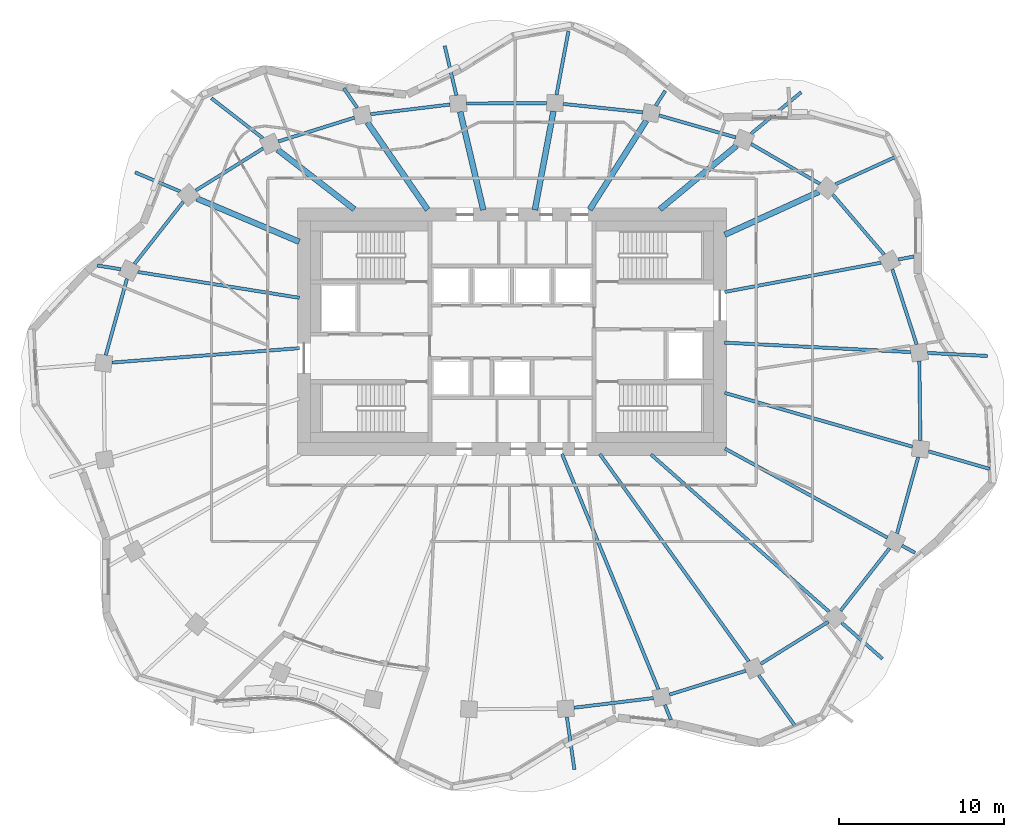
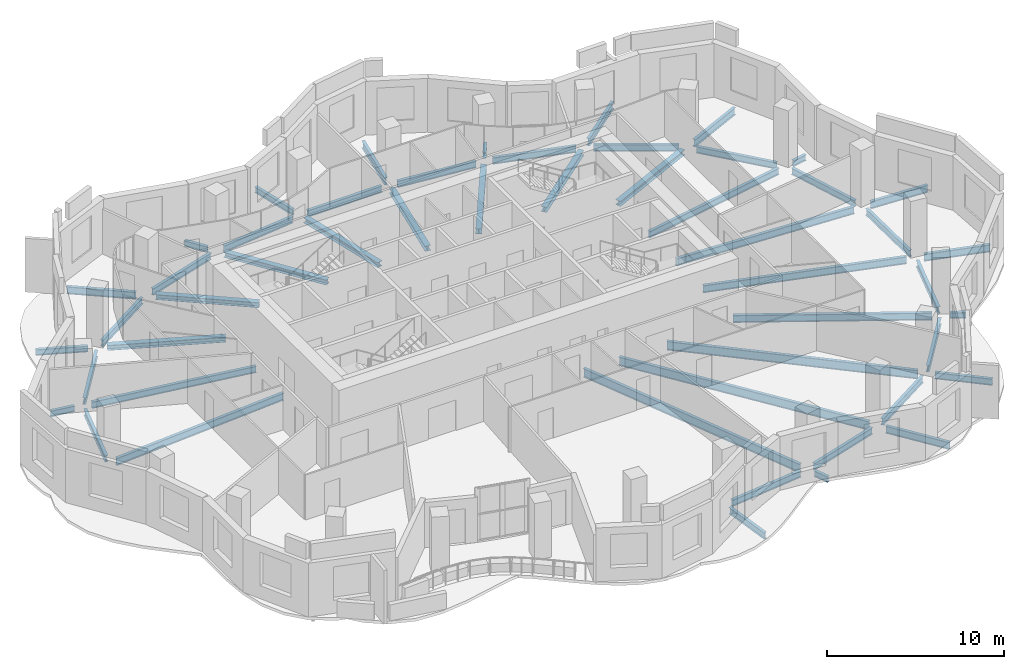
# One storey, part 3 of 13: 51 beams.
"""IFC4 building model written with IfcOpenShell, lengths in metres."""

from ifc_helpers import new_model, si_unit, direction, frame, origin, origin_2d, place, context, subcontext, project, spatial, i_section, extrude, material, material_profile, profile_set, type_object, element, save


model = new_model("IFC4")

# Units and contexts
model_context = context("Model", 3, precision=1e-05, world=origin(), true_north=direction((0.0, 1.0)))
body_context = subcontext(model_context, "Body", "Model", "MODEL_VIEW")
ifc_project = project(units=[si_unit("LENGTHUNIT", "METRE"), si_unit("AREAUNIT", "SQUARE_METRE"), si_unit("VOLUMEUNIT", "CUBIC_METRE"), si_unit("PLANEANGLEUNIT", "RADIAN"), si_unit("MASSUNIT", "GRAM", prefix="KILO")], contexts=[model_context])

# Site, building, storey
site_placement = place(None, origin())
site = spatial("IfcSite", under=ifc_project, at=site_placement, CompositionType="ELEMENT")
building_placement = place(site_placement, origin())
building = spatial("IfcBuilding", under=site, at=building_placement, Name="Rubra Terraces Tower", CompositionType="ELEMENT")
storey_placement = place(building_placement, frame((0.0, 0.0, 252.60009765625)))
storey = spatial("IfcBuildingStorey", under=building, at=storey_placement, Name="L62", CompositionType="ELEMENT", Elevation=252.60009765625)

# Beams
ifc_material = material(Name="Steel Q355B", Category="steel")
ifc_material_profile_1 = material_profile(ifc_material, i_section(OverallWidth=0.199951171875, OverallDepth=0.39990234375, WebThickness=0.008056640625, FlangeThickness=0.012939453125, at=origin_2d()), Name="HN 400x200x8x13")
ifc_profile_set_1 = profile_set([ifc_material_profile_1], Name="Steel Q355B")
beam_type_1 = type_object("IfcBeamType", Name="CANTILEVER BEAM HN 400x200x8x13", PredefinedType="BEAM", material=ifc_profile_set_1)
beam_1_placement = place(storey_placement, frame((-3.3701171875, 18.823974609375, -0.400146484375), z_axis=(-0.229158621159, 0.973389092988, 0.0), x_axis=(-0.973389092988, -0.229158621159, 0.0)))
element("IfcBeam", 1, at=beam_1_placement, inside=storey, type_object=beam_type_1, Name="beam-L62-cant-07", PredefinedType="BEAM", context=body_context, shape_type="SweptSolid", body=[
    extrude(i_section(OverallWidth=0.199951171875, OverallDepth=0.39990234375, WebThickness=0.008056640625, FlangeThickness=0.012939453125, at=origin_2d()), origin(), (0.0, 0.0, 1.0), 3.080078125),
])
beam_2_placement = place(storey_placement, frame((-20.10205078125, 13.0048828125, -0.400146484375), z_axis=(-0.920868185487, 0.389874062946, 0.0), x_axis=(-0.389874062946, -0.920868185487, 0.0)))
element("IfcBeam", 2, at=beam_2_placement, inside=storey, type_object=beam_type_1, Name="beam-L62-cant-10", PredefinedType="BEAM", context=body_context, shape_type="SweptSolid", body=[
    extrude(i_section(OverallWidth=0.199951171875, OverallDepth=0.39990234375, WebThickness=0.008056640625, FlangeThickness=0.012939453125, at=origin_2d()), origin(), (0.0, 0.0, 1.0), 2.9599609375),
])
ifc_material_profile_2 = material_profile(ifc_material, i_section(OverallWidth=0.198974609375, OverallDepth=0.446044921875, WebThickness=0.008056640625, FlangeThickness=0.011962890625, at=origin_2d()), Name="HN 446x199x8x12")
ifc_profile_set_2 = profile_set([ifc_material_profile_2], Name="Steel Q355B")
beam_type_2 = type_object("IfcBeamType", Name="CANTILEVER BEAM HN 446x199x8x12", PredefinedType="BEAM", material=ifc_profile_set_2)
beam_3_placement = place(storey_placement, frame((3.324951171875, -18.826904296875, -0.423095703125), z_axis=(0.141017135848, -0.990007155225, 0.0), x_axis=(0.990007155225, 0.141017135848, 0.0)))
element("IfcBeam", 3, at=beam_3_placement, inside=storey, type_object=beam_type_2, Name="beam-L62-cant-19", PredefinedType="BEAM", context=body_context, shape_type="SweptSolid", body=[
    extrude(i_section(OverallWidth=0.198974609375, OverallDepth=0.446044921875, WebThickness=0.008056640625, FlangeThickness=0.011962890625, at=origin_2d()), origin(), (0.0, 0.0, 1.0), 3.21337890625),
])
beam_4_placement = place(storey_placement, frame((19.969970703125, -13.123046875, -0.423095703125), z_axis=(0.749902745466, -0.661548087702, 0.0), x_axis=(0.661548087702, 0.749902745466, 0.0)))
element("IfcBeam", 4, at=beam_4_placement, inside=storey, type_object=beam_type_2, Name="beam-L62-cant-22", PredefinedType="BEAM", context=body_context, shape_type="SweptSolid", body=[
    extrude(i_section(OverallWidth=0.198974609375, OverallDepth=0.446044921875, WebThickness=0.008056640625, FlangeThickness=0.011962890625, at=origin_2d()), origin(), (0.0, 0.0, 1.0), 3.293701171875),
])
ifc_material_profile_3 = material_profile(ifc_material, i_section(OverallWidth=0.198974609375, OverallDepth=0.49609375, WebThickness=0.009033203125, FlangeThickness=0.013916015625, at=origin_2d()), Name="HN 496x199x9x14")
ifc_profile_set_3 = profile_set([ifc_material_profile_3], Name="Steel Q355B")
beam_type_3 = type_object("IfcBeamType", Name="CANTILEVER BEAM HN 496x199x9x14", PredefinedType="BEAM", material=ifc_profile_set_3)
beam_5_placement = place(storey_placement, frame((25.179931640625, 3.221923828125, -0.447998046875), z_axis=(0.998713760082, -0.050703307804, 0.0), x_axis=(0.050703307804, 0.998713760082, 0.0)))
element("IfcBeam", 5, at=beam_5_placement, inside=storey, type_object=beam_type_3, Name="beam-L62-cant-01", PredefinedType="BEAM", context=body_context, shape_type="SweptSolid", body=[
    extrude(i_section(OverallWidth=0.198974609375, OverallDepth=0.49609375, WebThickness=0.009033203125, FlangeThickness=0.013916015625, at=origin_2d()), origin(), (0.0, 0.0, 1.0), 3.625732421875),
])
beam_6_placement = place(storey_placement, frame((19.596923828125, 13.43896484375, -0.447998046875), z_axis=(0.909745347317, 0.415166717157, 0.0), x_axis=(-0.415166717157, 0.909745347317, 0.0)))
element("IfcBeam", 6, at=beam_6_placement, inside=storey, type_object=beam_type_3, Name="beam-L62-cant-03", PredefinedType="BEAM", context=body_context, shape_type="SweptSolid", body=[
    extrude(i_section(OverallWidth=0.198974609375, OverallDepth=0.49609375, WebThickness=0.009033203125, FlangeThickness=0.013916015625, at=origin_2d()), origin(), (0.0, 0.0, 1.0), 3.950439453125),
])
beam_7_placement = place(storey_placement, frame((14.47509765625, 16.4951171875, -0.447998046875), z_axis=(0.770112647774, 0.637907916347, 0.0), x_axis=(-0.637907916347, 0.770112647774, 0.0)))
element("IfcBeam", 7, at=beam_7_placement, inside=storey, type_object=beam_type_3, Name="beam-L62-cant-04", PredefinedType="BEAM", context=body_context, shape_type="SweptSolid", body=[
    extrude(i_section(OverallWidth=0.198974609375, OverallDepth=0.49609375, WebThickness=0.009033203125, FlangeThickness=0.013916015625, at=origin_2d()), origin(), (0.0, 0.0, 1.0), 3.949951171875),
])
beam_8_placement = place(storey_placement, frame((2.695068359375, 18.85400390625, -0.447998046875), z_axis=(0.184533441982, 0.982826235298, 0.0), x_axis=(-0.982826235298, 0.184533441982, 0.0)))
element("IfcBeam", 8, at=beam_8_placement, inside=storey, type_object=beam_type_3, Name="beam-L62-cant-06", PredefinedType="BEAM", context=body_context, shape_type="SweptSolid", body=[
    extrude(i_section(OverallWidth=0.198974609375, OverallDepth=0.49609375, WebThickness=0.009033203125, FlangeThickness=0.013916015625, at=origin_2d()), origin(), (0.0, 0.0, 1.0), 3.912109375),
])
beam_9_placement = place(storey_placement, frame((-15.087890625, 16.22705078125, -0.447998046875), z_axis=(-0.789618379303, 0.61359825217, 0.0), x_axis=(-0.61359825217, -0.789618379303, 0.0)))
element("IfcBeam", 9, at=beam_9_placement, inside=storey, type_object=beam_type_3, Name="beam-L62-cant-09", PredefinedType="BEAM", context=body_context, shape_type="SweptSolid", body=[
    extrude(i_section(OverallWidth=0.198974609375, OverallDepth=0.49609375, WebThickness=0.009033203125, FlangeThickness=0.013916015625, at=origin_2d()), origin(), (0.0, 0.0, 1.0), 3.9501953125),
])
beam_10_placement = place(storey_placement, frame((14.93994140625, -16.294921875, -0.447998046875), z_axis=(0.583477927211, -0.812128997424, 0.0), x_axis=(0.812128997424, 0.583477927211, 0.0)))
element("IfcBeam", 10, at=beam_10_placement, inside=storey, type_object=beam_type_3, Name="beam-L62-cant-21", PredefinedType="BEAM", context=body_context, shape_type="SweptSolid", body=[
    extrude(i_section(OverallWidth=0.198974609375, OverallDepth=0.49609375, WebThickness=0.009033203125, FlangeThickness=0.013916015625, at=origin_2d()), origin(), (0.0, 0.0, 1.0), 3.9453125),
])
beam_11_placement = place(storey_placement, frame((25.22900390625, -2.738037109375, -0.447998046875), z_axis=(0.961168845491, -0.275960958213, 0.0), x_axis=(0.275960958213, 0.961168845491, 0.0)))
element("IfcBeam", 11, at=beam_11_placement, inside=storey, type_object=beam_type_3, Name="beam-L62-cant-24", PredefinedType="BEAM", context=body_context, shape_type="SweptSolid", body=[
    extrude(i_section(OverallWidth=0.198974609375, OverallDepth=0.49609375, WebThickness=0.009033203125, FlangeThickness=0.013916015625, at=origin_2d()), origin(), (0.0, 0.0, 1.0), 3.848388671875),
])
ifc_material_profile_4 = material_profile(ifc_material, i_section(OverallWidth=0.199951171875, OverallDepth=0.39990234375, WebThickness=0.008056640625, FlangeThickness=0.012939453125, at=origin_2d()), Name="HN 400x200x8x13")
ifc_profile_set_4 = profile_set([ifc_material_profile_4], Name="Steel Q355B")
beam_type_4 = type_object("IfcBeamType", Name="CANTILEVER STUB HN 400x200x8x13", PredefinedType="BEAM", material=ifc_profile_set_4)
beam_12_placement = place(storey_placement, frame((23.39794921875, 8.884033203125, -0.400146484375), z_axis=(0.98285471524, 0.184381693047, 0.0), x_axis=(-0.184381693047, 0.98285471524, 0.0)))
element("IfcBeam", 12, at=beam_12_placement, inside=storey, type_object=beam_type_4, Name="beam-L62-cant-02", PredefinedType="BEAM", context=body_context, shape_type="SweptSolid", body=[
    extrude(i_section(OverallWidth=0.199951171875, OverallDepth=0.39990234375, WebThickness=0.008056640625, FlangeThickness=0.012939453125, at=origin_2d()), origin(), (0.0, 0.0, 1.0), 0.949462890625),
])
beam_13_placement = place(storey_placement, frame((8.7099609375, 18.201904296875, -0.400146484375), z_axis=(0.536579593342, 0.843849714113, 0.0), x_axis=(-0.843849714113, 0.536579593342, 0.0)))
element("IfcBeam", 13, at=beam_13_placement, inside=storey, type_object=beam_type_4, Name="beam-L62-cant-05", PredefinedType="BEAM", context=body_context, shape_type="SweptSolid", body=[
    extrude(i_section(OverallWidth=0.199951171875, OverallDepth=0.39990234375, WebThickness=0.008056640625, FlangeThickness=0.012939453125, at=origin_2d()), origin(), (0.0, 0.0, 1.0), 1.06787109375),
])
beam_14_placement = place(storey_placement, frame((-9.3701171875, 18.070068359375, -0.400146484375), z_axis=(-0.568440243111, 0.822724552941, 0.0), x_axis=(-0.822724552941, -0.568440243111, 0.0)))
element("IfcBeam", 14, at=beam_14_placement, inside=storey, type_object=beam_type_4, Name="beam-L62-cant-08", PredefinedType="BEAM", context=body_context, shape_type="SweptSolid", body=[
    extrude(i_section(OverallWidth=0.199951171875, OverallDepth=0.39990234375, WebThickness=0.008056640625, FlangeThickness=0.012939453125, at=origin_2d()), origin(), (0.0, 0.0, 1.0), 1.435302734375),
])
beam_15_placement = place(storey_placement, frame((-23.702880859375, 8.29296875, -0.400146484375), z_axis=(-0.987493698574, 0.157658476703, 0.0), x_axis=(-0.157658476703, -0.987493698574, 0.0)))
element("IfcBeam", 15, at=beam_15_placement, inside=storey, type_object=beam_type_4, Name="beam-L62-cant-11", PredefinedType="BEAM", context=body_context, shape_type="SweptSolid", body=[
    extrude(i_section(OverallWidth=0.199951171875, OverallDepth=0.39990234375, WebThickness=0.008056640625, FlangeThickness=0.012939453125, at=origin_2d()), origin(), (0.0, 0.0, 1.0), 1.433837890625),
])
beam_16_placement = place(storey_placement, frame((9.256103515625, -18.094970703125, -0.400146484375), z_axis=(0.378119073975, -0.925756969132, 0.0), x_axis=(0.925756969132, 0.378119073975, 0.0)))
element("IfcBeam", 16, at=beam_16_placement, inside=storey, type_object=beam_type_4, Name="beam-L62-cant-20", PredefinedType="BEAM", context=body_context, shape_type="SweptSolid", body=[
    extrude(i_section(OverallWidth=0.199951171875, OverallDepth=0.39990234375, WebThickness=0.008056640625, FlangeThickness=0.012939453125, at=origin_2d()), origin(), (0.0, 0.0, 1.0), 0.980712890625),
])
beam_17_placement = place(storey_placement, frame((23.6240234375, -8.449951171875, -0.400146484375), z_axis=(0.876376358267, -0.481626908168, 0.0), x_axis=(0.481626908168, 0.876376358267, 0.0)))
element("IfcBeam", 17, at=beam_17_placement, inside=storey, type_object=beam_type_4, Name="beam-L62-cant-23", PredefinedType="BEAM", context=body_context, shape_type="SweptSolid", body=[
    extrude(i_section(OverallWidth=0.199951171875, OverallDepth=0.39990234375, WebThickness=0.008056640625, FlangeThickness=0.012939453125, at=origin_2d()), origin(), (0.0, 0.0, 1.0), 0.899169921875),
])
ifc_material_profile_5 = material_profile(ifc_material, i_section(OverallWidth=0.198974609375, OverallDepth=0.446044921875, WebThickness=0.008056640625, FlangeThickness=0.011962890625, at=origin_2d()), Name="HN 446x199x8x12")
ifc_profile_set_5 = profile_set([ifc_material_profile_5], Name="Steel Q355B")
beam_type_5 = type_object("IfcBeamType", Name="FLOOR BEAM HN 446x199x8x12", PredefinedType="BEAM", material=ifc_profile_set_5)
beam_18_placement = place(storey_placement, frame((22.360107421875, 8.68994140625, -0.423095703125), z_axis=(-0.982895681695, -0.18416318553, 0.0), x_axis=(0.18416318553, -0.982895681695, 0.0)))
element("IfcBeam", 18, at=beam_18_placement, inside=storey, type_object=beam_type_5, Name="beam-L62-floor-02", PredefinedType="BEAM", context=body_context, shape_type="SweptSolid", body=[
    extrude(i_section(OverallWidth=0.198974609375, OverallDepth=0.446044921875, WebThickness=0.008056640625, FlangeThickness=0.011962890625, at=origin_2d()), origin(), (0.0, 0.0, 1.0), 9.64306640625),
])
beam_19_placement = place(storey_placement, frame((-22.6669921875, 8.126953125, -0.423095703125), z_axis=(0.987435404133, -0.158023171289, 0.0), x_axis=(0.158023171289, 0.987435404133, 0.0)))
element("IfcBeam", 19, at=beam_19_placement, inside=storey, type_object=beam_type_5, Name="beam-L62-floor-11", PredefinedType="BEAM", context=body_context, shape_type="SweptSolid", body=[
    extrude(i_section(OverallWidth=0.198974609375, OverallDepth=0.446044921875, WebThickness=0.008056640625, FlangeThickness=0.011962890625, at=origin_2d()), origin(), (0.0, 0.0, 1.0), 9.909423828125),
])
ifc_material_profile_6 = material_profile(ifc_material, i_section(OverallWidth=0.198974609375, OverallDepth=0.49609375, WebThickness=0.009033203125, FlangeThickness=0.013916015625, at=origin_2d()), Name="HN 496x199x9x14")
ifc_profile_set_6 = profile_set([ifc_material_profile_6], Name="Steel Q355B")
beam_type_6 = type_object("IfcBeamType", Name="FLOOR BEAM HN 496x199x9x14", PredefinedType="BEAM", material=ifc_profile_set_6)
beam_20_placement = place(storey_placement, frame((24.157958984375, 3.27392578125, -0.447998046875), z_axis=(-0.998716228561, 0.050654662269, 0.0), x_axis=(-0.050654662269, -0.998716228561, 0.0)))
element("IfcBeam", 20, at=beam_20_placement, inside=storey, type_object=beam_type_6, Name="beam-L62-floor-01", PredefinedType="BEAM", context=body_context, shape_type="SweptSolid", body=[
    extrude(i_section(OverallWidth=0.198974609375, OverallDepth=0.49609375, WebThickness=0.009033203125, FlangeThickness=0.013916015625, at=origin_2d()), origin(), (0.0, 0.0, 1.0), 11.29248046875),
])
beam_21_placement = place(storey_placement, frame((-24.23388671875, 2.637939453125, -0.447998046875), z_axis=(0.997063306908, 0.076581734234, 0.0), x_axis=(-0.076581734234, 0.997063306908, 0.0)))
element("IfcBeam", 21, at=beam_21_placement, inside=storey, type_object=beam_type_6, Name="beam-L62-floor-12", PredefinedType="BEAM", context=body_context, shape_type="SweptSolid", body=[
    extrude(i_section(OverallWidth=0.198974609375, OverallDepth=0.49609375, WebThickness=0.009033203125, FlangeThickness=0.013916015625, at=origin_2d()), origin(), (0.0, 0.0, 1.0), 11.387451171875),
])
beam_22_placement = place(storey_placement, frame((22.74609375, -7.969970703125, -0.447998046875), z_axis=(-0.876862055903, 0.480742066932, 0.0), x_axis=(-0.480742066932, -0.876862055903, 0.0)))
element("IfcBeam", 22, at=beam_22_placement, inside=storey, type_object=beam_type_6, Name="beam-L62-floor-23", PredefinedType="BEAM", context=body_context, shape_type="SweptSolid", body=[
    extrude(i_section(OverallWidth=0.198974609375, OverallDepth=0.49609375, WebThickness=0.009033203125, FlangeThickness=0.013916015625, at=origin_2d()), origin(), (0.0, 0.0, 1.0), 11.234375),
])
beam_23_placement = place(storey_placement, frame((24.257080078125, -2.4599609375, -0.447998046875), z_axis=(-0.961215754667, 0.275797521707, 0.0), x_axis=(-0.275797521707, -0.961215754667, 0.0)))
element("IfcBeam", 23, at=beam_23_placement, inside=storey, type_object=beam_type_6, Name="beam-L62-floor-24", PredefinedType="BEAM", context=body_context, shape_type="SweptSolid", body=[
    extrude(i_section(OverallWidth=0.198974609375, OverallDepth=0.49609375, WebThickness=0.009033203125, FlangeThickness=0.013916015625, at=origin_2d()), origin(), (0.0, 0.0, 1.0), 11.830810546875),
])
ifc_material_profile_7 = material_profile(ifc_material, i_section(OverallWidth=0.198974609375, OverallDepth=0.595947265625, WebThickness=0.010009765625, FlangeThickness=0.014892578125, at=origin_2d()), Name="HN 596x199x10x15")
ifc_profile_set_7 = profile_set([ifc_material_profile_7], Name="Steel Q355B")
beam_type_7 = type_object("IfcBeamType", Name="FLOOR BEAM HN 596x199x10x15", PredefinedType="BEAM", material=ifc_profile_set_7)
beam_24_placement = place(storey_placement, frame((8.8701171875, -17.155029296875, -0.498046875), z_axis=(-0.379015131933, 0.925390474214, 0.0), x_axis=(-0.925390474214, -0.379015131933, 0.0)))
element("IfcBeam", 24, at=beam_24_placement, inside=storey, type_object=beam_type_7, Name="beam-L62-floor-20", PredefinedType="BEAM", context=body_context, shape_type="SweptSolid", body=[
    extrude(i_section(OverallWidth=0.198974609375, OverallDepth=0.595947265625, WebThickness=0.010009765625, FlangeThickness=0.014892578125, at=origin_2d()), origin(), (0.0, 0.0, 1.0), 15.416259765625),
])
beam_25_placement = place(storey_placement, frame((14.345947265625, -15.467041015625, -0.498046875), z_axis=(-0.583528740197, 0.812092488183, 0.0), x_axis=(-0.812092488183, -0.583528740197, 0.0)))
element("IfcBeam", 25, at=beam_25_placement, inside=storey, type_object=beam_type_7, Name="beam-L62-floor-21", PredefinedType="BEAM", context=body_context, shape_type="SweptSolid", body=[
    extrude(i_section(OverallWidth=0.198974609375, OverallDepth=0.595947265625, WebThickness=0.010009765625, FlangeThickness=0.014892578125, at=origin_2d()), origin(), (0.0, 0.0, 1.0), 15.47119140625),
])
beam_26_placement = place(storey_placement, frame((19.216064453125, -12.45703125, -0.498046875), z_axis=(-0.749823025288, 0.661638444128, 0.0), x_axis=(-0.661638444128, -0.749823025288, 0.0)))
element("IfcBeam", 26, at=beam_26_placement, inside=storey, type_object=beam_type_7, Name="beam-L62-floor-22", PredefinedType="BEAM", context=body_context, shape_type="SweptSolid", body=[
    extrude(i_section(OverallWidth=0.198974609375, OverallDepth=0.595947265625, WebThickness=0.010009765625, FlangeThickness=0.014892578125, at=origin_2d()), origin(), (0.0, 0.0, 1.0), 14.412841796875),
])
ifc_material_profile_8 = material_profile(ifc_material, i_section(OverallWidth=0.35009765625, OverallDepth=0.35009765625, WebThickness=0.011962890625, FlangeThickness=0.01904296875, at=origin_2d()), Name="HW 350x350x12x19")
ifc_profile_set_8 = profile_set([ifc_material_profile_8], Name="Steel Q355B")
beam_type_8 = type_object("IfcBeamType", Name="FLOOR BEAM HW 350x350x12x19", PredefinedType="BEAM", material=ifc_profile_set_8)
beam_27_placement = place(storey_placement, frame((18.5869140625, 12.97900390625, -0.375), z_axis=(-0.909756526533, -0.415142219523, 0.0), x_axis=(0.415142219523, -0.909756526533, 0.0)))
element("IfcBeam", 27, at=beam_27_placement, inside=storey, type_object=beam_type_8, Name="beam-L62-floor-03", PredefinedType="BEAM", context=body_context, shape_type="SweptSolid", body=[
    extrude(i_section(OverallWidth=0.35009765625, OverallDepth=0.35009765625, WebThickness=0.011962890625, FlangeThickness=0.01904296875, at=origin_2d()), origin(), (0.0, 0.0, 1.0), 6.2607421875),
])
beam_28_placement = place(storey_placement, frame((13.60888671875, 15.777099609375, -0.375), z_axis=(-0.769987518392, -0.638058948312, 0.0), x_axis=(0.638058948312, -0.769987518392, 0.0)))
element("IfcBeam", 28, at=beam_28_placement, inside=storey, type_object=beam_type_8, Name="beam-L62-floor-04", PredefinedType="BEAM", context=body_context, shape_type="SweptSolid", body=[
    extrude(i_section(OverallWidth=0.35009765625, OverallDepth=0.35009765625, WebThickness=0.011962890625, FlangeThickness=0.01904296875, at=origin_2d()), origin(), (0.0, 0.0, 1.0), 6.040283203125),
])
beam_29_placement = place(storey_placement, frame((8.134033203125, 17.2958984375, -0.375), z_axis=(-0.536509861106, -0.843894050776, 0.0), x_axis=(0.843894050776, -0.536509861106, 0.0)))
element("IfcBeam", 29, at=beam_29_placement, inside=storey, type_object=beam_type_8, Name="beam-L62-floor-05", PredefinedType="BEAM", context=body_context, shape_type="SweptSolid", body=[
    extrude(i_section(OverallWidth=0.35009765625, OverallDepth=0.35009765625, WebThickness=0.011962890625, FlangeThickness=0.01904296875, at=origin_2d()), origin(), (0.0, 0.0, 1.0), 6.395263671875),
])
beam_30_placement = place(storey_placement, frame((2.509033203125, 17.862060546875, -0.375), z_axis=(-0.184574398021, -0.982818544593, 0.0), x_axis=(0.982818544593, -0.184574398021, 0.0)))
element("IfcBeam", 30, at=beam_30_placement, inside=storey, type_object=beam_type_8, Name="beam-L62-floor-06", PredefinedType="BEAM", context=body_context, shape_type="SweptSolid", body=[
    extrude(i_section(OverallWidth=0.35009765625, OverallDepth=0.35009765625, WebThickness=0.011962890625, FlangeThickness=0.01904296875, at=origin_2d()), origin(), (0.0, 0.0, 1.0), 6.08447265625),
])
beam_31_placement = place(storey_placement, frame((-3.137939453125, 17.8359375, -0.375), z_axis=(0.229070485592, -0.973409837957, 0.0), x_axis=(0.973409837957, 0.229070485592, 0.0)))
element("IfcBeam", 31, at=beam_31_placement, inside=storey, type_object=beam_type_8, Name="beam-L62-floor-07", PredefinedType="BEAM", context=body_context, shape_type="SweptSolid", body=[
    extrude(i_section(OverallWidth=0.35009765625, OverallDepth=0.35009765625, WebThickness=0.011962890625, FlangeThickness=0.01904296875, at=origin_2d()), origin(), (0.0, 0.0, 1.0), 6.115478515625),
])
beam_32_placement = place(storey_placement, frame((-8.756103515625, 17.179931640625, -0.375), z_axis=(0.568186422001, -0.822899866238, 0.0), x_axis=(0.822899866238, 0.568186422001, 0.0)))
element("IfcBeam", 32, at=beam_32_placement, inside=storey, type_object=beam_type_8, Name="beam-L62-floor-08", PredefinedType="BEAM", context=body_context, shape_type="SweptSolid", body=[
    extrude(i_section(OverallWidth=0.35009765625, OverallDepth=0.35009765625, WebThickness=0.011962890625, FlangeThickness=0.01904296875, at=origin_2d()), origin(), (0.0, 0.0, 1.0), 6.415283203125),
])
beam_33_placement = place(storey_placement, frame((-14.197998046875, 15.534912109375, -0.375), z_axis=(0.789548898228, -0.613687654517, 0.0), x_axis=(0.613687654517, 0.789548898228, 0.0)))
element("IfcBeam", 33, at=beam_33_placement, inside=storey, type_object=beam_type_8, Name="beam-L62-floor-09", PredefinedType="BEAM", context=body_context, shape_type="SweptSolid", body=[
    extrude(i_section(OverallWidth=0.35009765625, OverallDepth=0.35009765625, WebThickness=0.011962890625, FlangeThickness=0.01904296875, at=origin_2d()), origin(), (0.0, 0.0, 1.0), 5.880615234375),
])
beam_34_placement = place(storey_placement, frame((-19.083984375, 12.574951171875, -0.375), z_axis=(0.92097476483, -0.38962223056, 0.0), x_axis=(0.38962223056, 0.92097476483, 0.0)))
element("IfcBeam", 34, at=beam_34_placement, inside=storey, type_object=beam_type_8, Name="beam-L62-floor-10", PredefinedType="BEAM", context=body_context, shape_type="SweptSolid", body=[
    extrude(i_section(OverallWidth=0.35009765625, OverallDepth=0.35009765625, WebThickness=0.011962890625, FlangeThickness=0.01904296875, at=origin_2d()), origin(), (0.0, 0.0, 1.0), 6.7265625),
])
ifc_material_profile_9 = material_profile(ifc_material, i_section(OverallWidth=0.198974609375, OverallDepth=0.446044921875, WebThickness=0.008056640625, FlangeThickness=0.011962890625, at=origin_2d()), Name="HN 446x199x8x12")
ifc_profile_set_9 = profile_set([ifc_material_profile_9], Name="Steel Q355B")
beam_type_9 = type_object("IfcBeamType", Name="SPANDREL BEAM HN 446x199x8x12", PredefinedType="SPANDREL", material=ifc_profile_set_9)
beam_35_placement = place(storey_placement, frame((24.512939453125, 3.72900390625, -0.423095703125), z_axis=(-0.307359002872, 0.951593633519, 0.0), x_axis=(-0.951593633519, -0.307359002872, 0.0)))
element("IfcBeam", 35, at=beam_35_placement, inside=storey, type_object=beam_type_9, Name="beam-L62-spandrel-01", PredefinedType="SPANDREL", context=body_context, shape_type="SweptSolid", body=[
    extrude(i_section(OverallWidth=0.198974609375, OverallDepth=0.446044921875, WebThickness=0.008056640625, FlangeThickness=0.011962890625, at=origin_2d()), origin(), (0.0, 0.0, 1.0), 4.8056640625),
])
beam_36_placement = place(storey_placement, frame((22.547119140625, 9.174072265625, -0.423095703125), z_axis=(-0.650372836218, 0.759615148552, 0.0), x_axis=(-0.759615148552, -0.650372836218, 0.0)))
element("IfcBeam", 36, at=beam_36_placement, inside=storey, type_object=beam_type_9, Name="beam-L62-spandrel-02", PredefinedType="SPANDREL", context=body_context, shape_type="SweptSolid", body=[
    extrude(i_section(OverallWidth=0.198974609375, OverallDepth=0.446044921875, WebThickness=0.008056640625, FlangeThickness=0.011962890625, at=origin_2d()), origin(), (0.0, 0.0, 1.0), 4.804931640625),
])
beam_37_placement = place(storey_placement, frame((18.653076171875, 13.462890625, -0.423095703125), z_axis=(-0.865153680787, 0.501506838059, 0.0), x_axis=(-0.501506838059, -0.865153680787, 0.0)))
element("IfcBeam", 37, at=beam_37_placement, inside=storey, type_object=beam_type_9, Name="beam-L62-spandrel-03", PredefinedType="SPANDREL", context=body_context, shape_type="SweptSolid", body=[
    extrude(i_section(OverallWidth=0.198974609375, OverallDepth=0.446044921875, WebThickness=0.008056640625, FlangeThickness=0.011962890625, at=origin_2d()), origin(), (0.0, 0.0, 1.0), 4.82568359375),
])
beam_38_placement = place(storey_placement, frame((13.55810546875, 16.27490234375, -0.423095703125), z_axis=(-0.961171164323, 0.275952881621, 0.0), x_axis=(-0.275952881621, -0.961171164323, 0.0)))
element("IfcBeam", 38, at=beam_38_placement, inside=storey, type_object=beam_type_9, Name="beam-L62-spandrel-04", PredefinedType="SPANDREL", context=body_context, shape_type="SweptSolid", body=[
    extrude(i_section(OverallWidth=0.198974609375, OverallDepth=0.446044921875, WebThickness=0.008056640625, FlangeThickness=0.011962890625, at=origin_2d()), origin(), (0.0, 0.0, 1.0), 4.842041015625),
])
beam_39_placement = place(storey_placement, frame((7.923095703125, 17.801025390625, -0.423095703125), z_axis=(-0.994565426955, 0.104113454971, 0.0), x_axis=(-0.104113454971, -0.994565426955, 0.0)))
element("IfcBeam", 39, at=beam_39_placement, inside=storey, type_object=beam_type_9, Name="beam-L62-spandrel-05", PredefinedType="SPANDREL", context=body_context, shape_type="SweptSolid", body=[
    extrude(i_section(OverallWidth=0.198974609375, OverallDepth=0.446044921875, WebThickness=0.008056640625, FlangeThickness=0.011962890625, at=origin_2d()), origin(), (0.0, 0.0, 1.0), 4.849365234375),
])
beam_40_placement = place(storey_placement, frame((2.10107421875, 18.35595703125, -0.423095703125), z_axis=(-0.999987852299, -0.004929021704, 0.0), x_axis=(0.004929021704, -0.999987852299, 0.0)))
element("IfcBeam", 40, at=beam_40_placement, inside=storey, type_object=beam_type_9, Name="beam-L62-spandrel-06", PredefinedType="SPANDREL", context=body_context, shape_type="SweptSolid", body=[
    extrude(i_section(OverallWidth=0.198974609375, OverallDepth=0.446044921875, WebThickness=0.008056640625, FlangeThickness=0.011962890625, at=origin_2d()), origin(), (0.0, 0.0, 1.0), 4.85400390625),
])
beam_41_placement = place(storey_placement, frame((-3.7509765625, 18.27001953125, -0.423095703125), z_axis=(-0.992698018573, -0.120626049929, 0.0), x_axis=(0.120626049929, -0.992698018573, 0.0)))
element("IfcBeam", 41, at=beam_41_placement, inside=storey, type_object=beam_type_9, Name="beam-L62-spandrel-07", PredefinedType="SPANDREL", context=body_context, shape_type="SweptSolid", body=[
    extrude(i_section(OverallWidth=0.198974609375, OverallDepth=0.446044921875, WebThickness=0.008056640625, FlangeThickness=0.011962890625, at=origin_2d()), origin(), (0.0, 0.0, 1.0), 4.849365234375),
])
beam_42_placement = place(storey_placement, frame((-9.5419921875, 17.47509765625, -0.423095703125), z_axis=(-0.954462027342, -0.298332429282, 0.0), x_axis=(0.298332429282, -0.954462027342, 0.0)))
element("IfcBeam", 42, at=beam_42_placement, inside=storey, type_object=beam_type_9, Name="beam-L62-spandrel-08", PredefinedType="SPANDREL", context=body_context, shape_type="SweptSolid", body=[
    extrude(i_section(OverallWidth=0.198974609375, OverallDepth=0.446044921875, WebThickness=0.008056640625, FlangeThickness=0.011962890625, at=origin_2d()), origin(), (0.0, 0.0, 1.0), 4.840576171875),
])
beam_43_placement = place(storey_placement, frame((-15.071044921875, 15.614013671875, -0.423095703125), z_axis=(-0.848183088492, -0.529703170083, 0.0), x_axis=(0.529703170083, -0.848183088492, 0.0)))
element("IfcBeam", 43, at=beam_43_placement, inside=storey, type_object=beam_type_9, Name="beam-L62-spandrel-09", PredefinedType="SPANDREL", context=body_context, shape_type="SweptSolid", body=[
    extrude(i_section(OverallWidth=0.198974609375, OverallDepth=0.446044921875, WebThickness=0.008056640625, FlangeThickness=0.011962890625, at=origin_2d()), origin(), (0.0, 0.0, 1.0), 4.8232421875),
])
beam_44_placement = place(storey_placement, frame((-19.906005859375, 12.39111328125, -0.423095703125), z_axis=(-0.617060338015, -0.786915840004, 0.0), x_axis=(0.786915840004, -0.617060338015, 0.0)))
element("IfcBeam", 44, at=beam_44_placement, inside=storey, type_object=beam_type_9, Name="beam-L62-spandrel-10", PredefinedType="SPANDREL", context=body_context, shape_type="SweptSolid", body=[
    extrude(i_section(OverallWidth=0.198974609375, OverallDepth=0.446044921875, WebThickness=0.008056640625, FlangeThickness=0.011962890625, at=origin_2d()), origin(), (0.0, 0.0, 1.0), 4.8037109375),
])
beam_45_placement = place(storey_placement, frame((-23.321044921875, 7.718994140625, -0.423095703125), z_axis=(-0.267625533012, -0.963523001324, 0.0), x_axis=(0.963523001324, -0.267625533012, 0.0)))
element("IfcBeam", 45, at=beam_45_placement, inside=storey, type_object=beam_type_9, Name="beam-L62-spandrel-11", PredefinedType="SPANDREL", context=body_context, shape_type="SweptSolid", body=[
    extrude(i_section(OverallWidth=0.198974609375, OverallDepth=0.446044921875, WebThickness=0.008056640625, FlangeThickness=0.011962890625, at=origin_2d()), origin(), (0.0, 0.0, 1.0), 4.808349609375),
])
beam_46_placement = place(storey_placement, frame((3.7509765625, -18.27001953125, -0.423095703125), z_axis=(0.992698018573, 0.120626049929, 0.0), x_axis=(-0.120626049929, 0.992698018573, 0.0)))
element("IfcBeam", 46, at=beam_46_placement, inside=storey, type_object=beam_type_9, Name="beam-L62-spandrel-19", PredefinedType="SPANDREL", context=body_context, shape_type="SweptSolid", body=[
    extrude(i_section(OverallWidth=0.198974609375, OverallDepth=0.446044921875, WebThickness=0.008056640625, FlangeThickness=0.011962890625, at=origin_2d()), origin(), (0.0, 0.0, 1.0), 4.849365234375),
])
beam_47_placement = place(storey_placement, frame((9.5419921875, -17.47509765625, -0.423095703125), z_axis=(0.954462027342, 0.298332429282, 0.0), x_axis=(-0.298332429282, 0.954462027342, 0.0)))
element("IfcBeam", 47, at=beam_47_placement, inside=storey, type_object=beam_type_9, Name="beam-L62-spandrel-20", PredefinedType="SPANDREL", context=body_context, shape_type="SweptSolid", body=[
    extrude(i_section(OverallWidth=0.198974609375, OverallDepth=0.446044921875, WebThickness=0.008056640625, FlangeThickness=0.011962890625, at=origin_2d()), origin(), (0.0, 0.0, 1.0), 4.840576171875),
])
beam_48_placement = place(storey_placement, frame((15.071044921875, -15.614013671875, -0.423095703125), z_axis=(0.848183088492, 0.529703170083, 0.0), x_axis=(-0.529703170083, 0.848183088492, 0.0)))
element("IfcBeam", 48, at=beam_48_placement, inside=storey, type_object=beam_type_9, Name="beam-L62-spandrel-21", PredefinedType="SPANDREL", context=body_context, shape_type="SweptSolid", body=[
    extrude(i_section(OverallWidth=0.198974609375, OverallDepth=0.446044921875, WebThickness=0.008056640625, FlangeThickness=0.011962890625, at=origin_2d()), origin(), (0.0, 0.0, 1.0), 4.8232421875),
])
beam_49_placement = place(storey_placement, frame((19.906005859375, -12.39111328125, -0.423095703125), z_axis=(0.617060338015, 0.786915840004, 0.0), x_axis=(-0.786915840004, 0.617060338015, 0.0)))
element("IfcBeam", 49, at=beam_49_placement, inside=storey, type_object=beam_type_9, Name="beam-L62-spandrel-22", PredefinedType="SPANDREL", context=body_context, shape_type="SweptSolid", body=[
    extrude(i_section(OverallWidth=0.198974609375, OverallDepth=0.446044921875, WebThickness=0.008056640625, FlangeThickness=0.011962890625, at=origin_2d()), origin(), (0.0, 0.0, 1.0), 4.8037109375),
])
beam_50_placement = place(storey_placement, frame((23.321044921875, -7.718994140625, -0.423095703125), z_axis=(0.267625533012, 0.963523001324, 0.0), x_axis=(-0.963523001324, 0.267625533012, 0.0)))
element("IfcBeam", 50, at=beam_50_placement, inside=storey, type_object=beam_type_9, Name="beam-L62-spandrel-23", PredefinedType="SPANDREL", context=body_context, shape_type="SweptSolid", body=[
    extrude(i_section(OverallWidth=0.198974609375, OverallDepth=0.446044921875, WebThickness=0.008056640625, FlangeThickness=0.011962890625, at=origin_2d()), origin(), (0.0, 0.0, 1.0), 4.808349609375),
])
beam_51_placement = place(storey_placement, frame((24.737060546875, -2.093994140625, -0.423095703125), z_axis=(-0.012822047643, 0.999917794168, 0.0), x_axis=(-0.999917794168, -0.012822047643, 0.0)))
element("IfcBeam", 51, at=beam_51_placement, inside=storey, type_object=beam_type_9, Name="beam-L62-spandrel-24", PredefinedType="SPANDREL", context=body_context, shape_type="SweptSolid", body=[
    extrude(i_section(OverallWidth=0.198974609375, OverallDepth=0.446044921875, WebThickness=0.008056640625, FlangeThickness=0.011962890625, at=origin_2d()), origin(), (0.0, 0.0, 1.0), 4.83642578125),
])

save(model, "model.ifc")
